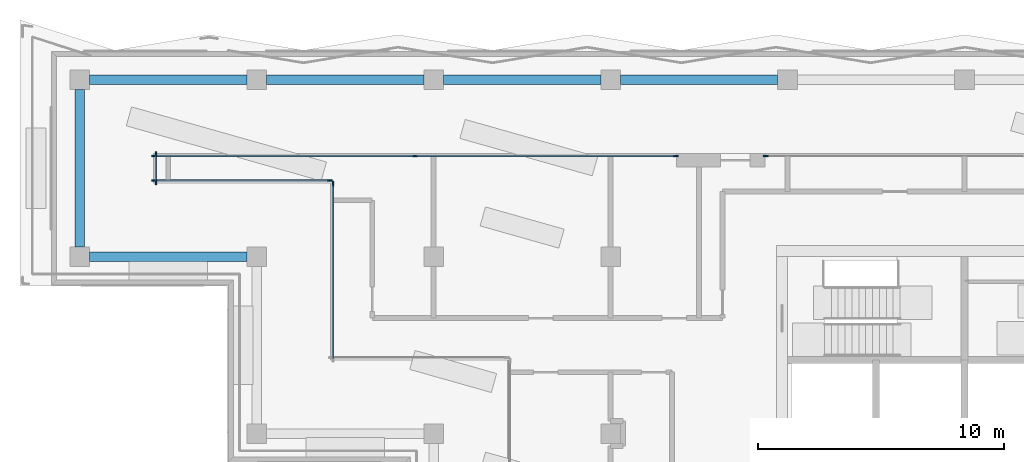
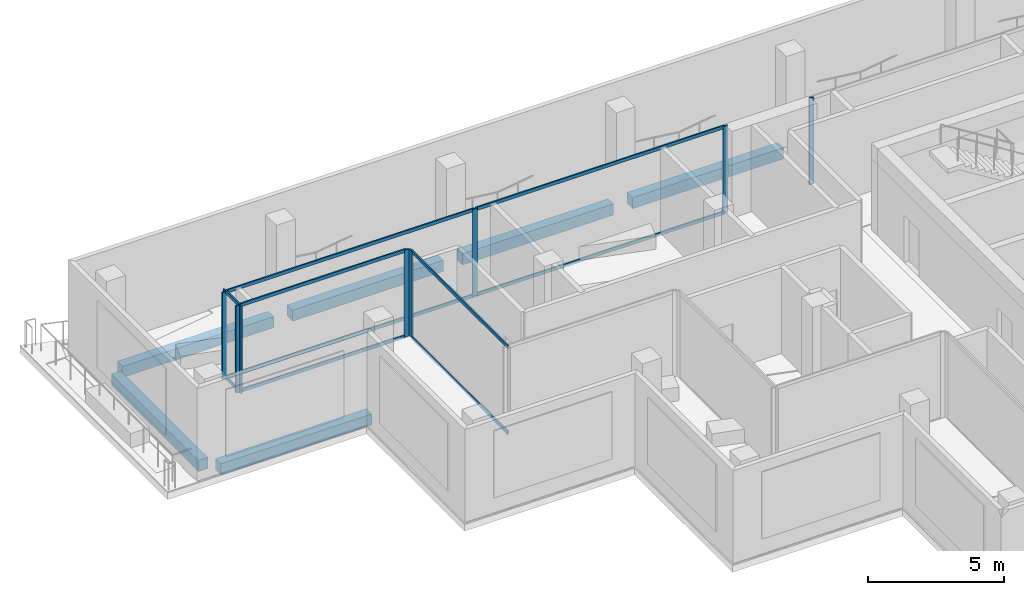
# One storey, part 5 of 19: 19 members, 6 beams, 5 elements without a shape of their own.
"""IFC4 building model written with IfcOpenShell, lengths in metres."""

from ifc_helpers import new_model, si_unit, direction, frame, origin, origin_2d, place, context, subcontext, project, spatial, rectangle, extrude, material, material_profile, profile_set, type_object, element, aggregate, save


model = new_model("IFC4")

# Units and contexts
model_context = context("Model", 3, precision=1e-05, world=origin(), true_north=direction((0.0, 1.0)))
body_context = subcontext(model_context, "Body", "Model", "MODEL_VIEW")
ifc_project = project(units=[si_unit("LENGTHUNIT", "METRE"), si_unit("AREAUNIT", "SQUARE_METRE"), si_unit("VOLUMEUNIT", "CUBIC_METRE"), si_unit("PLANEANGLEUNIT", "RADIAN"), si_unit("MASSUNIT", "GRAM", prefix="KILO")], contexts=[model_context])

# Site, building, storey
site_placement = place(None, origin())
site = spatial("IfcSite", under=ifc_project, at=site_placement, CompositionType="ELEMENT")
building_placement = place(site_placement, origin())
building = spatial("IfcBuilding", under=site, at=building_placement, Name="Windrow Commons", CompositionType="ELEMENT")
storey_placement = place(building_placement, frame((0.0, 0.0, 230.4)))
storey = spatial("IfcBuildingStorey", under=building, at=storey_placement, Name="L63", CompositionType="ELEMENT", Elevation=230.4)

# Curtain wall, member
ifc_material_1 = material(Name="Clear laminated glass in Aluminium 6063-T6 anodised frame", Category="aluminium")
curtain_wall_type = type_object("IfcCurtainWallType", Name="Curtain wall CW2H sky lounge upper", PredefinedType="USERDEFINED", material=ifc_material_1)
placement = place(storey_placement, origin())
curtain_wall_1 = element("IfcCurtainWall", 1, at=placement, inside=storey, type_object=curtain_wall_type, Name="Curtain wall CW2H L63 4.1", ObjectType="UNITISED", PredefinedType="USERDEFINED")
ifc_material_2 = material(Name="Aluminium 6063-T6", Category="aluminium")
ifc_material_profile_1 = material_profile(ifc_material_2, rectangle(XDim=0.06, YDim=0.2, at=origin_2d()))
ifc_profile_set_1 = profile_set([ifc_material_profile_1], Name="Aluminium 6063-T6")
member_type_1 = type_object("IfcMemberType", Name="CW2H mullion 60x200", PredefinedType="MULLION", material=ifc_profile_set_1)
member_1_placement = place(storey_placement, frame((56.7084, 68.9, 0.0), z_axis=(0.0, 0.0, 1.0), x_axis=(0.0, -1.0, 0.0)))
member_1 = element("IfcMember", 2, at=member_1_placement, type_object=member_type_1, Name="CW2H mullion 3", PredefinedType="MULLION", context=body_context, shape_type="SweptSolid", body=[
    extrude(rectangle(XDim=0.06, YDim=0.2, at=origin_2d()), origin(), (0.0, 0.0, 1.0), 3.9),
])
aggregate(curtain_wall_1, [member_1])

# Curtain wall, members
curtain_wall_2 = element("IfcCurtainWall", 3, at=placement, inside=storey, type_object=curtain_wall_type, Name="Curtain wall CW2H L63 4.2", ObjectType="UNITISED", PredefinedType="USERDEFINED")
member_2_placement = place(storey_placement, frame((53.0484, 68.9, 0.0), z_axis=(0.0, 0.0, 1.0), x_axis=(0.0, -1.0, 0.0)))
member_2 = element("IfcMember", 4, at=member_2_placement, type_object=member_type_1, Name="CW2H mullion 1", PredefinedType="MULLION", context=body_context, shape_type="SweptSolid", body=[
    extrude(rectangle(XDim=0.06, YDim=0.2, at=origin_2d()), origin(), (0.0, 0.0, 1.0), 3.9),
])
member_3_placement = place(storey_placement, frame((42.4392, 68.9, 0.0), z_axis=(0.0, 0.0, 1.0), x_axis=(0.0, -1.0, 0.0)))
member_3 = element("IfcMember", 5, at=member_3_placement, type_object=member_type_1, Name="CW2H mullion 2", PredefinedType="MULLION", context=body_context, shape_type="SweptSolid", body=[
    extrude(rectangle(XDim=0.06, YDim=0.2, at=origin_2d()), origin(), (0.0, 0.0, 1.0), 3.9),
])
member_4_placement = place(storey_placement, frame((31.83, 68.9, 0.0), z_axis=(0.0, 0.0, 1.0), x_axis=(0.0, -1.0, 0.0)))
member_4 = element("IfcMember", 6, at=member_4_placement, type_object=member_type_1, Name="CW2H mullion 3", PredefinedType="MULLION", context=body_context, shape_type="SweptSolid", body=[
    extrude(rectangle(XDim=0.06, YDim=0.2, at=origin_2d()), origin(), (0.0, 0.0, 1.0), 3.9),
])

curtain_wall_3 = element("IfcCurtainWall", 7, at=placement, inside=storey, type_object=curtain_wall_type, Name="Curtain wall CW2H L63 5", ObjectType="UNITISED", PredefinedType="USERDEFINED")
member_5_placement = place(storey_placement, frame((31.9, 68.97, 0.0), z_axis=(0.0, 0.0, 1.0), x_axis=(1.0, 0.0, 0.0)))
member_5 = element("IfcMember", 8, at=member_5_placement, type_object=member_type_1, Name="CW2H mullion 1", PredefinedType="MULLION", context=body_context, shape_type="SweptSolid", body=[
    extrude(rectangle(XDim=0.06, YDim=0.2, at=origin_2d()), origin(), (0.0, 0.0, 1.0), 3.9),
])
member_6_placement = place(storey_placement, frame((31.9, 67.83, 0.0), z_axis=(0.0, 0.0, 1.0), x_axis=(1.0, 0.0, 0.0)))
member_6 = element("IfcMember", 9, at=member_6_placement, type_object=member_type_1, Name="CW2H mullion 2", PredefinedType="MULLION", context=body_context, shape_type="SweptSolid", body=[
    extrude(rectangle(XDim=0.06, YDim=0.2, at=origin_2d()), origin(), (0.0, 0.0, 1.0), 3.9),
])

curtain_wall_4 = element("IfcCurtainWall", 10, at=placement, inside=storey, type_object=curtain_wall_type, Name="Curtain wall CW2H L63 6", ObjectType="UNITISED", PredefinedType="USERDEFINED")
member_7_placement = place(storey_placement, frame((31.83, 67.9, 0.0), z_axis=(0.0, 0.0, 1.0), x_axis=(0.0, 1.0, 0.0)))
member_7 = element("IfcMember", 11, at=member_7_placement, type_object=member_type_1, Name="CW2H mullion 1", PredefinedType="MULLION", context=body_context, shape_type="SweptSolid", body=[
    extrude(rectangle(XDim=0.06, YDim=0.2, at=origin_2d()), origin(), (0.0, 0.0, 1.0), 3.9),
])
member_8_placement = place(storey_placement, frame((38.97, 67.9, 0.0), z_axis=(0.0, 0.0, 1.0), x_axis=(0.0, 1.0, 0.0)))
member_8 = element("IfcMember", 12, at=member_8_placement, type_object=member_type_1, Name="CW2H mullion 2", PredefinedType="MULLION", context=body_context, shape_type="SweptSolid", body=[
    extrude(rectangle(XDim=0.06, YDim=0.2, at=origin_2d()), origin(), (0.0, 0.0, 1.0), 3.9),
])

# Curtain wall, member
curtain_wall_5 = element("IfcCurtainWall", 13, at=placement, inside=storey, type_object=curtain_wall_type, Name="Curtain wall CW2H L63 7", ObjectType="UNITISED", PredefinedType="USERDEFINED")
member_9_placement = place(storey_placement, frame((39.1, 67.77, 0.0), z_axis=(0.0, 0.0, 1.0), x_axis=(1.0, 0.0, 0.0)))
member_9 = element("IfcMember", 14, at=member_9_placement, type_object=member_type_1, Name="CW2H mullion 1", PredefinedType="MULLION", context=body_context, shape_type="SweptSolid", body=[
    extrude(rectangle(XDim=0.06, YDim=0.2, at=origin_2d()), origin(), (0.0, 0.0, 1.0), 3.9),
])

# Member
ifc_material_3 = material(Name="Aluminium 6063-T6", Category="aluminium")
ifc_material_profile_2 = material_profile(ifc_material_3, rectangle(XDim=0.06, YDim=0.15, at=origin_2d()))
ifc_profile_set_2 = profile_set([ifc_material_profile_2], Name="Aluminium 6063-T6")
member_type_2 = type_object("IfcMemberType", Name="CW2H transom 60x150", PredefinedType="USERDEFINED", material=ifc_profile_set_2)
member_10_placement = place(storey_placement, frame((53.0184, 68.9, 0.03), z_axis=(-1.0, 0.0, 0.0), x_axis=(0.0, -1.0, 0.0)))
member_10 = element("IfcMember", 15, at=member_10_placement, type_object=member_type_2, Name="CW2H transom 1.1", ObjectType="TRANSOM", PredefinedType="USERDEFINED", context=body_context, shape_type="SweptSolid", body=[
    extrude(rectangle(XDim=0.06, YDim=0.15, at=origin_2d()), origin(), (0.0, 0.0, 1.0), 10.5492),
])

member_11_placement = place(storey_placement, frame((53.0184, 68.9, 3.87), z_axis=(-1.0, 0.0, 0.0), x_axis=(0.0, -1.0, 0.0)))
member_11 = element("IfcMember", 16, at=member_11_placement, type_object=member_type_2, Name="CW2H transom 1.2", ObjectType="TRANSOM", PredefinedType="USERDEFINED", context=body_context, shape_type="SweptSolid", body=[
    extrude(rectangle(XDim=0.06, YDim=0.15, at=origin_2d()), origin(), (0.0, 0.0, 1.0), 10.5492),
])

member_12_placement = place(storey_placement, frame((42.4092, 68.9, 0.03), z_axis=(-1.0, 0.0, 0.0), x_axis=(0.0, -1.0, 0.0)))
member_12 = element("IfcMember", 17, at=member_12_placement, type_object=member_type_2, Name="CW2H transom 2.1", ObjectType="TRANSOM", PredefinedType="USERDEFINED", context=body_context, shape_type="SweptSolid", body=[
    extrude(rectangle(XDim=0.06, YDim=0.15, at=origin_2d()), origin(), (0.0, 0.0, 1.0), 10.5492),
])

member_13_placement = place(storey_placement, frame((42.4092, 68.9, 3.87), z_axis=(-1.0, 0.0, 0.0), x_axis=(0.0, -1.0, 0.0)))
member_13 = element("IfcMember", 18, at=member_13_placement, type_object=member_type_2, Name="CW2H transom 2.2", ObjectType="TRANSOM", PredefinedType="USERDEFINED", context=body_context, shape_type="SweptSolid", body=[
    extrude(rectangle(XDim=0.06, YDim=0.15, at=origin_2d()), origin(), (0.0, 0.0, 1.0), 10.5492),
])

aggregate(curtain_wall_2, [member_2, member_3, member_4, member_10, member_11, member_12, member_13])

member_14_placement = place(storey_placement, frame((31.9, 68.94, 0.03), z_axis=(0.0, -1.0, 0.0), x_axis=(1.0, 0.0, 0.0)))
member_14 = element("IfcMember", 19, at=member_14_placement, type_object=member_type_2, Name="CW2H transom 1.1", ObjectType="TRANSOM", PredefinedType="USERDEFINED", context=body_context, shape_type="SweptSolid", body=[
    extrude(rectangle(XDim=0.06, YDim=0.15, at=origin_2d()), origin(), (0.0, 0.0, 1.0), 1.08),
])

member_15_placement = place(storey_placement, frame((31.9, 68.94, 3.87), z_axis=(0.0, -1.0, 0.0), x_axis=(1.0, 0.0, 0.0)))
member_15 = element("IfcMember", 20, at=member_15_placement, type_object=member_type_2, Name="CW2H transom 1.2", ObjectType="TRANSOM", PredefinedType="USERDEFINED", context=body_context, shape_type="SweptSolid", body=[
    extrude(rectangle(XDim=0.06, YDim=0.15, at=origin_2d()), origin(), (0.0, 0.0, 1.0), 1.08),
])

aggregate(curtain_wall_3, [member_5, member_6, member_14, member_15])

member_16_placement = place(storey_placement, frame((31.86, 67.9, 0.03), z_axis=(1.0, 0.0, 0.0), x_axis=(0.0, 1.0, 0.0)))
member_16 = element("IfcMember", 21, at=member_16_placement, type_object=member_type_2, Name="CW2H transom 1.1", ObjectType="TRANSOM", PredefinedType="USERDEFINED", context=body_context, shape_type="SweptSolid", body=[
    extrude(rectangle(XDim=0.06, YDim=0.15, at=origin_2d()), origin(), (0.0, 0.0, 1.0), 7.08),
])

member_17_placement = place(storey_placement, frame((31.86, 67.9, 3.87), z_axis=(1.0, 0.0, 0.0), x_axis=(0.0, 1.0, 0.0)))
member_17 = element("IfcMember", 22, at=member_17_placement, type_object=member_type_2, Name="CW2H transom 1.2", ObjectType="TRANSOM", PredefinedType="USERDEFINED", context=body_context, shape_type="SweptSolid", body=[
    extrude(rectangle(XDim=0.06, YDim=0.15, at=origin_2d()), origin(), (0.0, 0.0, 1.0), 7.08),
])

aggregate(curtain_wall_4, [member_7, member_8, member_16, member_17])

member_18_placement = place(storey_placement, frame((39.1, 67.74, 0.03), z_axis=(0.0, -1.0, 0.0), x_axis=(1.0, 0.0, 0.0)))
member_18 = element("IfcMember", 23, at=member_18_placement, type_object=member_type_2, Name="CW2H transom 1.1", ObjectType="TRANSOM", PredefinedType="USERDEFINED", context=body_context, shape_type="SweptSolid", body=[
    extrude(rectangle(XDim=0.06, YDim=0.15, at=origin_2d()), origin(), (0.0, 0.0, 1.0), 7.08),
])

member_19_placement = place(storey_placement, frame((39.1, 67.74, 3.87), z_axis=(0.0, -1.0, 0.0), x_axis=(1.0, 0.0, 0.0)))
member_19 = element("IfcMember", 24, at=member_19_placement, type_object=member_type_2, Name="CW2H transom 1.2", ObjectType="TRANSOM", PredefinedType="USERDEFINED", context=body_context, shape_type="SweptSolid", body=[
    extrude(rectangle(XDim=0.06, YDim=0.15, at=origin_2d()), origin(), (0.0, 0.0, 1.0), 7.08),
])

aggregate(curtain_wall_5, [member_9, member_18, member_19])

# Beams
ifc_material_4 = material(Name="Concrete C40/50", Category="concrete")
ifc_material_profile_3 = material_profile(ifc_material_4, rectangle(XDim=0.4, YDim=0.5, at=origin_2d()))
ifc_profile_set_3 = profile_set([ifc_material_profile_3], Name="Concrete C40/50")
beam_type = type_object("IfcBeamType", Name="RC EDGE BEAM 400x500 C40/50", PredefinedType="SPANDREL", material=ifc_profile_set_3)
for number, where, z_axis, x_axis, name in (
    (25, (35.6, 64.8, -0.55), (-1.0, 0.0, 0.0), (0.0, -1.0, 0.0), "Edge beam L63 007"),
    (26, (28.8, 65.2, -0.55), (0.0, 1.0, 0.0), (-1.0, 0.0, 0.0), "Edge beam L63 008"),
    (27, (29.2, 72.0, -0.55), (1.0, 0.0, 0.0), (0.0, 1.0, 0.0), "Edge beam L63 009"),
    (28, (36.4, 72.0, -0.55), (1.0, 0.0, 0.0), (0.0, 1.0, 0.0), "Edge beam L63 010"),
    (29, (43.6, 72.0, -0.55), (1.0, 0.0, 0.0), (0.0, 1.0, 0.0), "Edge beam L63 011"),
    (30, (50.8, 72.0, -0.55), (1.0, 0.0, 0.0), (0.0, 1.0, 0.0), "Edge beam L63 012"),
):
    element("IfcBeam", number, at=place(storey_placement, frame(where, z_axis=z_axis, x_axis=x_axis)), inside=storey, type_object=beam_type, Name=name, PredefinedType="SPANDREL", context=body_context, shape_type="SweptSolid", body=[
        extrude(rectangle(XDim=0.4, YDim=0.5, at=origin_2d()), origin(), (0.0, 0.0, 1.0), 6.4),
    ])

save(model, "model.ifc")
